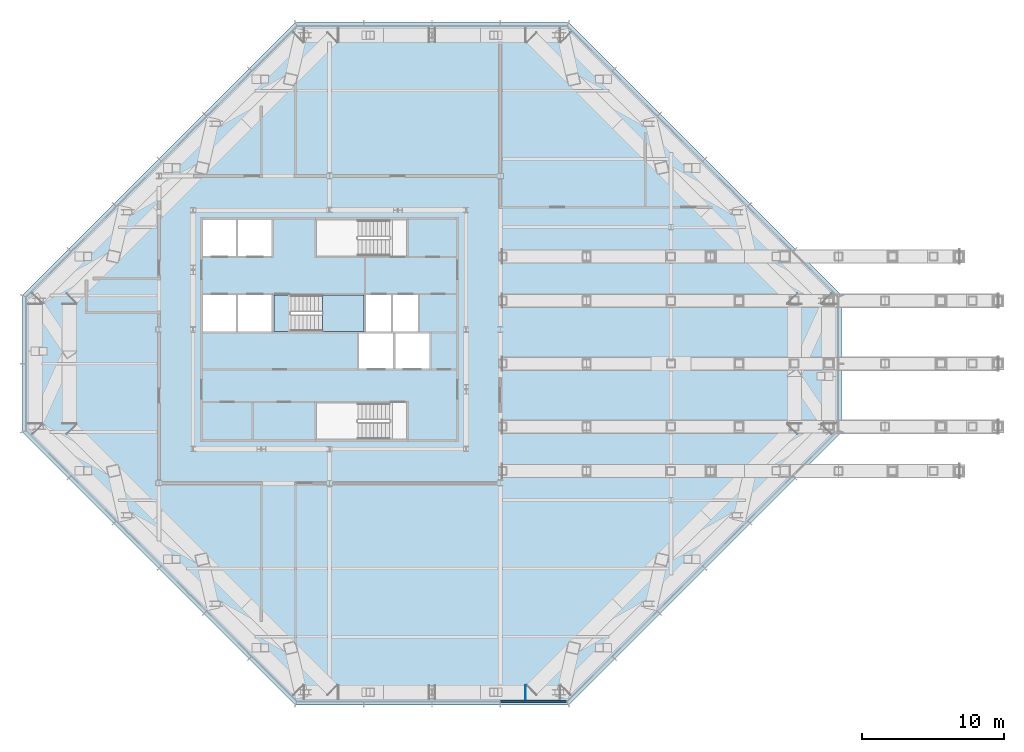
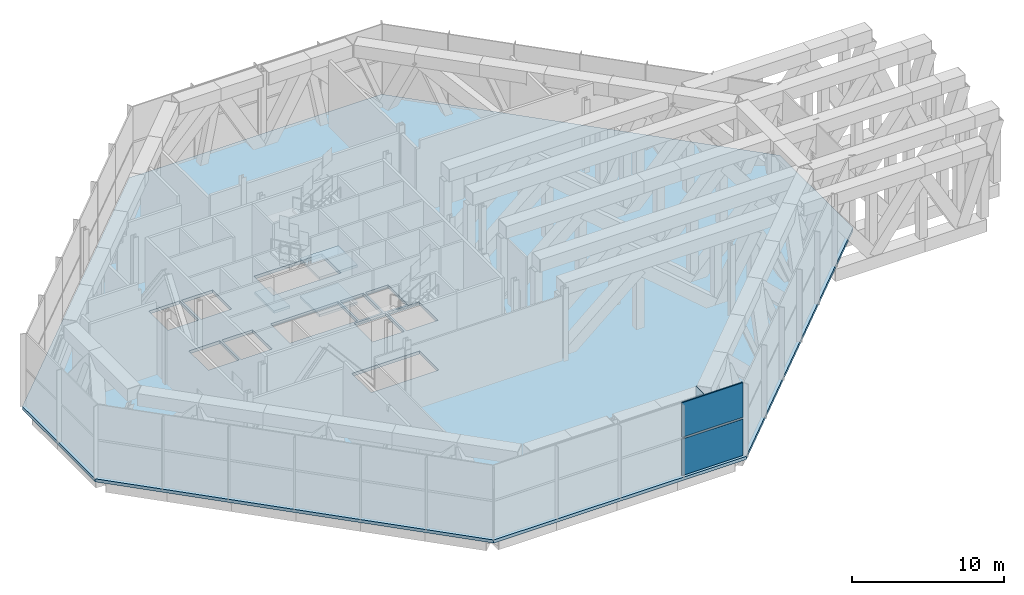
# One storey, part 11 of 18: 4 slabs, 3 plates, 2 elements without a shape of their own.
"""IFC4 building model written with IfcOpenShell, lengths in metres."""

from ifc_helpers import new_model, si_unit, direction, frame, origin, origin_2d, place, context, subcontext, project, spatial, polyline, rectangle, outline, extrude, material, layer, layer_set, material_profile, profile_set, type_object, element, aggregate, save


model = new_model("IFC4")

# Units and contexts
model_context = context("Model", 3, precision=1e-05, world=origin(), true_north=direction((0.0, 1.0)))
body_context = subcontext(model_context, "Body", "Model", "MODEL_VIEW")
ifc_project = project(units=[si_unit("LENGTHUNIT", "METRE"), si_unit("AREAUNIT", "SQUARE_METRE"), si_unit("VOLUMEUNIT", "CUBIC_METRE"), si_unit("PLANEANGLEUNIT", "RADIAN"), si_unit("MASSUNIT", "GRAM", prefix="KILO")], contexts=[model_context])

# Site, building, storey
site_placement = place(None, origin())
site = spatial("IfcSite", under=ifc_project, at=site_placement, CompositionType="ELEMENT")
building_placement = place(site_placement, origin())
building = spatial("IfcBuilding", under=site, at=building_placement, Name="Cairn Pilgrim Tower", CompositionType="ELEMENT")
storey_placement = place(building_placement, frame((0.0, 0.0, 261.0)))
storey = spatial("IfcBuildingStorey", under=building, at=storey_placement, Name="L67", CompositionType="ELEMENT", Elevation=261.0)

# Slab
ifc_material_1 = material(Name="Concrete C35/45", Category="concrete")
ifc_layer_1 = layer(ifc_material_1, 0.25)
ifc_layer_set_1 = layer_set([ifc_layer_1], Name="COMPOSITE FLOOR SLAB 250")
slab_type_1 = type_object("IfcSlabType", Name="COMPOSITE FLOOR SLAB 250", PredefinedType="FLOOR", material=ifc_layer_set_1)
slab_1_placement = place(storey_placement, frame((0.0, 0.0, -0.25)))
element("IfcSlab", 1, at=slab_1_placement, inside=storey, type_object=slab_type_1, Name="FLOOR SLAB L67", PredefinedType="FLOOR", context=body_context, shape_type="SweptSolid", body=[
    extrude(outline(polyline([(4.800048828125, -24.0), (24.0, -24.0), (43.199951171875, -4.800048828125), (43.199951171875, 4.800048828125), (24.0, 24.0), (4.800048828125, 24.0), (-14.39990234375, 4.800048828125), (-14.39990234375, -4.800048828125), (4.800048828125, -24.0)]), holes=[polyline([(9.27490234375, -0.324951171875), (11.675048828125, -0.324951171875), (11.675048828125, 2.125), (9.27490234375, 2.125), (9.27490234375, -0.324951171875)]), polyline([(11.824951171875, -0.324951171875), (14.22509765625, -0.324951171875), (14.22509765625, 2.125), (11.824951171875, 2.125), (11.824951171875, -0.324951171875)]), polyline([(-1.72509765625, 2.27490234375), (0.625, 2.27490234375), (0.625, 4.824951171875), (-1.72509765625, 4.824951171875), (-1.72509765625, 2.27490234375)]), polyline([(0.77490234375, 2.27490234375), (3.125, 2.27490234375), (3.125, 4.824951171875), (0.77490234375, 4.824951171875), (0.77490234375, 2.27490234375)]), polyline([(-1.72509765625, 7.574951171875), (0.625, 7.574951171875), (0.625, 10.10009765625), (-1.72509765625, 10.10009765625), (-1.72509765625, 7.574951171875)]), polyline([(0.77490234375, 7.574951171875), (3.125, 7.574951171875), (3.125, 10.10009765625), (0.77490234375, 10.10009765625), (0.77490234375, 7.574951171875)]), polyline([(9.77490234375, 2.27490234375), (11.52490234375, 2.27490234375), (11.52490234375, 4.824951171875), (9.77490234375, 4.824951171875), (9.77490234375, 2.27490234375)]), polyline([(11.675048828125, 2.27490234375), (13.425048828125, 2.27490234375), (13.425048828125, 4.824951171875), (11.675048828125, 4.824951171875), (11.675048828125, 2.27490234375)]), polyline([(11.424560546875, -2.77490234375), (6.27490234375, -2.77490234375), (6.27490234375, -5.300048828125), (11.424560546875, -5.300048828125), (11.424560546875, -2.77490234375)]), polyline([(4.4755859375, 2.27490234375), (9.625, 2.27490234375), (9.625, 4.824951171875), (4.4755859375, 4.824951171875), (4.4755859375, 2.27490234375)]), polyline([(11.424560546875, 10.10009765625), (6.27490234375, 10.10009765625), (6.27490234375, 7.574951171875), (11.424560546875, 7.574951171875), (11.424560546875, 10.10009765625)])]), origin(), (0.0, 0.0, 1.0), 0.25),
])

# Plate
ifc_material_2 = material(Name="Structural steel S460M", Category="steel")
ifc_material_profile = material_profile(ifc_material_2, rectangle(XDim=1.0, YDim=1.0, at=origin_2d()), Name="END PLATE BOX 1000x1000x60")
ifc_profile_set = profile_set([ifc_material_profile], Name="Structural steel S460M")
plate_type_1 = type_object("IfcPlateType", Name="END PLATE BOX 1000x1000x60", PredefinedType="SHEET", material=ifc_profile_set)
plate_1_placement = place(storey_placement, frame((20.97021484375, -23.10009765625, 5.35009765625), z_axis=(1.0, 0.0, 0.0), x_axis=(0.0, 1.0, 0.0)))
element("IfcPlate", 2, at=plate_1_placement, inside=storey, type_object=plate_type_1, Name="EP-BT67-S-TC4-B", PredefinedType="SHEET", context=body_context, shape_type="SweptSolid", body=[
    extrude(rectangle(XDim=1.0, YDim=1.0, at=origin_2d()), origin(), (0.0, 0.0, 1.0), 0.039794921875),
])

# Curtain wall, plates
ifc_material_3 = material(Name="Aluminium alloy 6063-T6 bronze anodised with Bronze tinted laminated low-E glass 8+16+8.8", Category="aluminium")
curtain_wall_type = type_object("IfcCurtainWallType", Name="PLANT LOUVRE CURTAIN WALL", PredefinedType="NOTDEFINED", material=ifc_material_3)
curtain_wall_placement = place(storey_placement, origin())
curtain_wall = element("IfcCurtainWall", 3, at=curtain_wall_placement, inside=storey, type_object=curtain_wall_type, Name="Plant Louvre Curtain Wall S", PredefinedType="NOTDEFINED")
ifc_material_4 = material(Name="Bronze anodised aluminium louvre blades", Category="aluminium")
ifc_layer_2 = layer(ifc_material_4, 0.10009765625)
ifc_layer_set_2 = layer_set([ifc_layer_2], Name="LOUVRE PANEL 4626x2775")
plate_type_2 = type_object("IfcPlateType", Name="LOUVRE PANEL 4626x2775", PredefinedType="CURTAIN_PANEL", material=ifc_layer_set_2)
plate_2_placement = place(storey_placement, frame((21.543212890625, -23.75, 3.074951171875), z_axis=(0.0, 0.0, 1.0), x_axis=(1.0, 0.0, 0.0)))
plate_2 = element("IfcPlate", 4, at=plate_2_placement, type_object=plate_type_2, Name="Louvre Panel S4-2", PredefinedType="CURTAIN_PANEL", context=body_context, shape_type="SweptSolid", body=[
    extrude(rectangle(XDim=4.62646484375, YDim=0.10009765625, at=origin_2d()), origin(), (0.0, 0.0, 1.0), 2.77490234375),
])
ifc_layer_3 = layer(ifc_material_4, 0.10009765625)
ifc_layer_set_3 = layer_set([ifc_layer_3], Name="LOUVRE PANEL 4626x2925")
plate_type_3 = type_object("IfcPlateType", Name="LOUVRE PANEL 4626x2925", PredefinedType="CURTAIN_PANEL", material=ifc_layer_set_3)
plate_3_placement = place(storey_placement, frame((21.543212890625, -23.75, 0.0), z_axis=(0.0, 0.0, 1.0), x_axis=(1.0, 0.0, 0.0)))
plate_3 = element("IfcPlate", 5, at=plate_3_placement, type_object=plate_type_3, Name="Louvre Panel S4-1", PredefinedType="CURTAIN_PANEL", context=body_context, shape_type="SweptSolid", body=[
    extrude(rectangle(XDim=4.62646484375, YDim=0.10009765625, at=origin_2d()), origin(), (0.0, 0.0, 1.0), 2.925048828125),
])
aggregate(curtain_wall, [plate_3, plate_2])

# Stair, slabs
ifc_material_5 = material(Name="Concrete C32/40", Category="concrete")
stair_type = type_object("IfcStairType", Name="EXIT STAIR 1200", PredefinedType="HALF_TURN_STAIR", material=ifc_material_5)
stair_placement = place(storey_placement, origin())
stair = element("IfcStair", 6, at=stair_placement, inside=storey, type_object=stair_type, Name="L67 Exit Stair B", PredefinedType="HALF_TURN_STAIR")
ifc_layer_4 = layer(ifc_material_5, 0.199951171875)
ifc_layer_set_4 = layer_set([ifc_layer_4], Name="STAIR LANDING 200")
slab_type_2 = type_object("IfcSlabType", Name="STAIR LANDING 200", PredefinedType="LANDING", material=ifc_layer_set_4)
slab_2_placement = place(storey_placement, frame((0.0, 0.0, 1.300048828125)))
slab_2 = element("IfcSlab", 7, at=slab_2_placement, type_object=slab_type_2, Name="ST-B landing 1", PredefinedType="LANDING", context=body_context, shape_type="SweptSolid", body=[
    extrude(outline(polyline([(6.715087890625, 2.27490234375), (9.625, 2.27490234375), (9.625, 4.824951171875), (6.715087890625, 4.824951171875), (6.715087890625, 2.27490234375)])), origin(), (0.0, 0.0, 1.0), 0.199951171875),
])
slab_3_placement = place(storey_placement, frame((0.0, 0.0, 2.800048828125)))
slab_3 = element("IfcSlab", 8, at=slab_3_placement, type_object=slab_type_2, Name="ST-B landing 2", PredefinedType="LANDING", context=body_context, shape_type="SweptSolid", body=[
    extrude(outline(polyline([(3.27490234375, 2.27490234375), (4.47509765625, 2.27490234375), (4.47509765625, 4.824951171875), (3.27490234375, 4.824951171875), (3.27490234375, 2.27490234375)])), origin(), (0.0, 0.0, 1.0), 0.199951171875),
])
slab_4_placement = place(storey_placement, frame((0.0, 0.0, 4.300048828125)))
slab_4 = element("IfcSlab", 9, at=slab_4_placement, type_object=slab_type_2, Name="ST-B landing 3", PredefinedType="LANDING", context=body_context, shape_type="SweptSolid", body=[
    extrude(outline(polyline([(6.715087890625, 2.27490234375), (9.625, 2.27490234375), (9.625, 4.824951171875), (6.715087890625, 4.824951171875), (6.715087890625, 2.27490234375)])), origin(), (0.0, 0.0, 1.0), 0.199951171875),
])
aggregate(stair, [slab_2, slab_3, slab_4])

save(model, "model.ifc")
